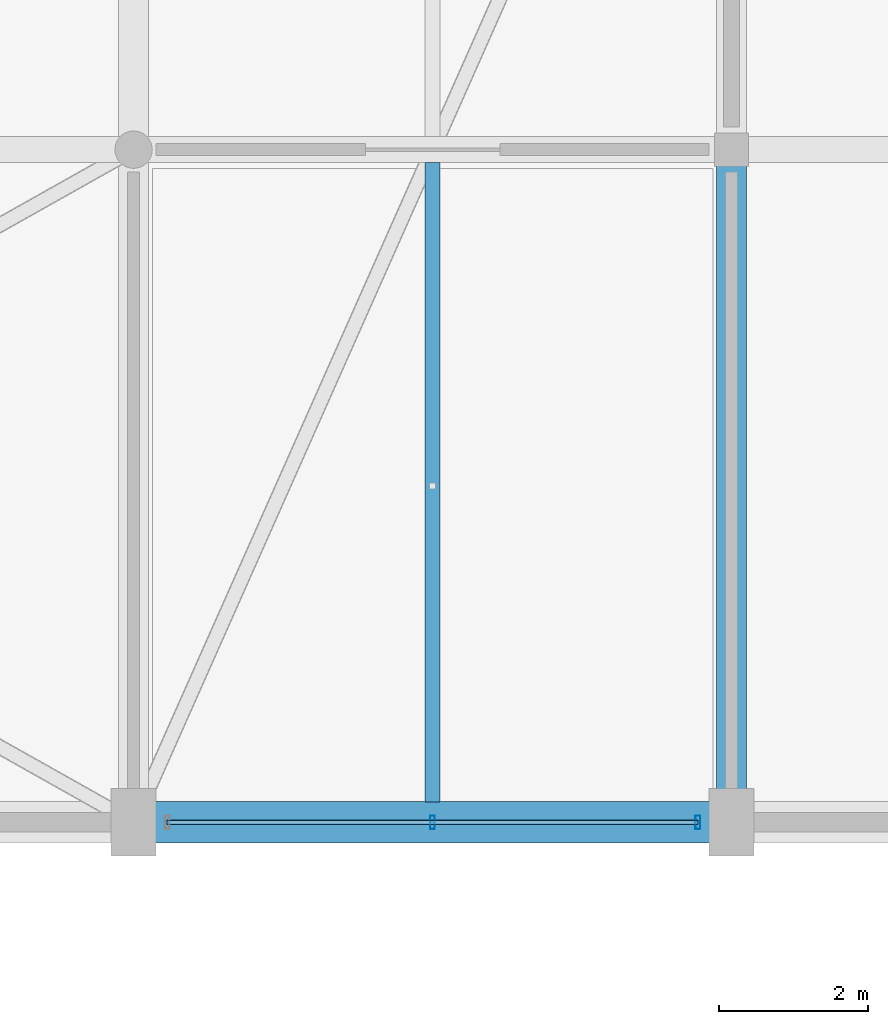
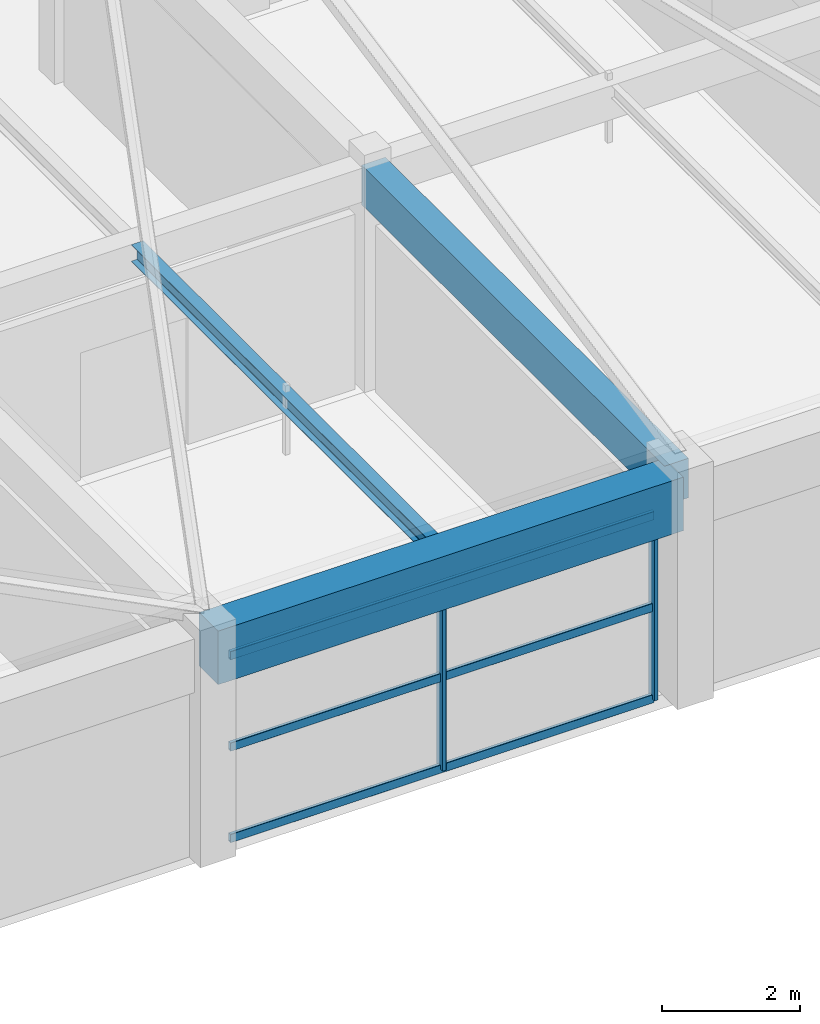
# One storey, part 30 of 63: 5 members, 3 beams, 1 element without a shape of its own.
"""IFC4 building model written with IfcOpenShell, lengths in metres."""

from ifc_helpers import new_model, si_unit, direction, frame, origin, origin_2d, place, context, subcontext, project, spatial, rectangle, hollow_rectangle, i_section, extrude, material, material_profile, profile_set, type_object, element, aggregate, save


model = new_model("IFC4")

# Units and contexts
model_context = context("Model", 3, precision=1e-05, world=origin(), true_north=direction((0.0, 1.0)))
body_context = subcontext(model_context, "Body", "Model", "MODEL_VIEW")
ifc_project = project(units=[si_unit("LENGTHUNIT", "METRE"), si_unit("AREAUNIT", "SQUARE_METRE"), si_unit("VOLUMEUNIT", "CUBIC_METRE"), si_unit("PLANEANGLEUNIT", "RADIAN"), si_unit("MASSUNIT", "GRAM", prefix="KILO")], contexts=[model_context])

# Site, building, storey
site_placement = place(None, origin())
site = spatial("IfcSite", under=ifc_project, at=site_placement, CompositionType="ELEMENT")
building_placement = place(site_placement, origin())
building = spatial("IfcBuilding", under=site, at=building_placement, Name="Varnabhumi Central Station", CompositionType="ELEMENT")
storey_placement = place(building_placement, frame((0.0, 0.0, 20.39990234375)))
storey = spatial("IfcBuildingStorey", under=building, at=storey_placement, Name="L04", CompositionType="ELEMENT", Elevation=20.39990234375)

# Beams
ifc_material_1 = material(Name="Concrete M40", Category="concrete")
ifc_material_profile_1 = material_profile(ifc_material_1, rectangle(XDim=0.550048828125, YDim=0.949951171875, at=origin_2d()), Name="Concrete M40", Category="concrete")
ifc_profile_set_1 = profile_set([ifc_material_profile_1], Name="Concrete M40")
beam_type_1 = type_object("IfcBeamType", Name="BM-RC-550x950", PredefinedType="BEAM", material=ifc_profile_set_1)
beam_1_placement = place(storey_placement, frame((80.10009765625, 80.0, 3.47509765625), z_axis=(1.0, 0.0, 0.0), x_axis=(0.0, 1.0, 0.0)))
element("IfcBeam", 1, at=beam_1_placement, inside=storey, type_object=beam_type_1, Name="Beam L04-K:11-12", PredefinedType="BEAM", context=body_context, shape_type="SweptSolid", body=[
    extrude(rectangle(XDim=0.550048828125, YDim=0.949951171875, at=origin_2d()), origin(), (0.0, 0.0, 1.0), 7.7998046875),
])
ifc_material_profile_2 = material_profile(ifc_material_1, rectangle(XDim=0.39990234375, YDim=0.699951171875, at=origin_2d()), Name="Concrete M40", Category="concrete")
ifc_profile_set_2 = profile_set([ifc_material_profile_2], Name="Concrete M40")
beam_type_2 = type_object("IfcBeamType", Name="BM-RC-700x400", PredefinedType="BEAM", material=ifc_profile_set_2)
beam_2_placement = place(storey_placement, frame((88.0, 80.10009765625, 3.60009765625), z_axis=(0.0, 1.0, 0.0), x_axis=(-1.0, 0.0, 0.0)))
element("IfcBeam", 2, at=beam_2_placement, inside=storey, type_object=beam_type_2, Name="Beam L04-12:K-L", PredefinedType="BEAM", context=body_context, shape_type="SweptSolid", body=[
    extrude(rectangle(XDim=0.39990234375, YDim=0.699951171875, at=origin_2d()), origin(), (0.0, 0.0, 1.0), 8.7998046875),
])
ifc_material_2 = material(Name="Structural steel E350", Category="steel")
ifc_material_profile_3 = material_profile(ifc_material_2, i_section(OverallWidth=0.199951171875, OverallDepth=0.300048828125, WebThickness=0.00732421875, FlangeThickness=0.010009765625, FilletRadius=0.010986328125, at=origin_2d()), Name="Structural steel E350", Category="steel")
ifc_profile_set_3 = profile_set([ifc_material_profile_3], Name="Structural steel E350")
beam_type_3 = type_object("IfcBeamType", Name="BM-STL-ISWB300", PredefinedType="JOIST", material=ifc_profile_set_3)
beam_3_placement = place(storey_placement, frame((84.0, 80.27490234375, 3.800048828125), z_axis=(0.0, 1.0, 0.0), x_axis=(-1.0, 0.0, 0.0)))
element("IfcBeam", 3, at=beam_3_placement, inside=storey, type_object=beam_type_3, Name="Secondary Joist L04-11/12:K-L", PredefinedType="JOIST", context=body_context, shape_type="SweptSolid", body=[
    extrude(i_section(OverallWidth=0.199951171875, OverallDepth=0.300048828125, WebThickness=0.00732421875, FlangeThickness=0.010009765625, FilletRadius=0.010986328125, at=origin_2d()), origin(), (0.0, 0.0, 1.0), 8.550048828125),
])

# Curtain wall, members
ifc_material_3 = material(Name="Anodised aluminium 6063-T6", Category="aluminium")
curtain_wall_type = type_object("IfcCurtainWallType", Name="CW-SPINE-SCREEN-L0", PredefinedType="NOTDEFINED", material=ifc_material_3)
curtain_wall_placement = place(storey_placement, origin())
curtain_wall = element("IfcCurtainWall", 4, at=curtain_wall_placement, inside=storey, type_object=curtain_wall_type, Name="Curtain Wall CW-NS402", PredefinedType="NOTDEFINED")
ifc_material_profile_4 = material_profile(ifc_material_3, hollow_rectangle(XDim=0.06494140625, YDim=0.179931640625, WallThickness=0.00390625, InnerFilletRadius=0.001953125, OuterFilletRadius=0.006103515625, at=origin_2d()), Name="Anodised aluminium 6063-T6", Category="aluminium")
ifc_profile_set_4 = profile_set([ifc_material_profile_4], Name="Anodised aluminium 6063-T6")
member_type_1 = type_object("IfcMemberType", Name="CW-MUL-180", PredefinedType="MULLION", material=ifc_profile_set_4)
member_1_placement = place(storey_placement, frame((84.0, 80.0, 0.0), z_axis=(0.0, 0.0, 1.0), x_axis=(1.0, 0.0, 0.0)))
member_1 = element("IfcMember", 5, at=member_1_placement, type_object=member_type_1, Name="Curtain Wall Mullion CW-NS402-M2", PredefinedType="MULLION", context=body_context, shape_type="SweptSolid", body=[
    extrude(hollow_rectangle(XDim=0.06494140625, YDim=0.179931640625, WallThickness=0.00390625, InnerFilletRadius=0.001953125, OuterFilletRadius=0.006103515625, at=origin_2d()), origin(), (0.0, 0.0, 1.0), 3.239990234375),
])
member_2_placement = place(storey_placement, frame((87.550048828125, 80.0, 0.0), z_axis=(0.0, 0.0, 1.0), x_axis=(1.0, 0.0, 0.0)))
member_2 = element("IfcMember", 6, at=member_2_placement, type_object=member_type_1, Name="Curtain Wall Mullion CW-NS402-M3", PredefinedType="MULLION", context=body_context, shape_type="SweptSolid", body=[
    extrude(hollow_rectangle(XDim=0.06494140625, YDim=0.179931640625, WallThickness=0.00390625, InnerFilletRadius=0.001953125, OuterFilletRadius=0.006103515625, at=origin_2d()), origin(), (0.0, 0.0, 1.0), 3.239990234375),
])
ifc_material_profile_5 = material_profile(ifc_material_3, hollow_rectangle(XDim=0.06005859375, YDim=0.14990234375, WallThickness=0.00390625, InnerFilletRadius=0.001953125, OuterFilletRadius=0.006103515625, at=origin_2d()), Name="Anodised aluminium 6063-T6", Category="aluminium")
ifc_profile_set_5 = profile_set([ifc_material_profile_5], Name="Anodised aluminium 6063-T6")
member_type_2 = type_object("IfcMemberType", Name="CW-TR-150", PredefinedType="USERDEFINED", material=ifc_profile_set_5)
member_3_placement = place(storey_placement, frame((80.449951171875, 80.0, 0.0), z_axis=(1.0, 0.0, 0.0), x_axis=(0.0, 1.0, 0.0)))
member_3 = element("IfcMember", 7, at=member_3_placement, type_object=member_type_2, Name="Curtain Wall Transom CW-NS402-T1", ObjectType="TRANSOM", PredefinedType="USERDEFINED", context=body_context, shape_type="SweptSolid", body=[
    extrude(hollow_rectangle(XDim=0.06005859375, YDim=0.14990234375, WallThickness=0.00390625, InnerFilletRadius=0.001953125, OuterFilletRadius=0.006103515625, at=origin_2d()), origin(), (0.0, 0.0, 1.0), 7.10009765625),
])
member_4_placement = place(storey_placement, frame((80.449951171875, 80.0, 1.6201171875), z_axis=(1.0, 0.0, 0.0), x_axis=(0.0, 1.0, 0.0)))
member_4 = element("IfcMember", 8, at=member_4_placement, type_object=member_type_2, Name="Curtain Wall Transom CW-NS402-T2", ObjectType="TRANSOM", PredefinedType="USERDEFINED", context=body_context, shape_type="SweptSolid", body=[
    extrude(hollow_rectangle(XDim=0.06005859375, YDim=0.14990234375, WallThickness=0.00390625, InnerFilletRadius=0.001953125, OuterFilletRadius=0.006103515625, at=origin_2d()), origin(), (0.0, 0.0, 1.0), 7.10009765625),
])
member_5_placement = place(storey_placement, frame((80.449951171875, 80.0, 3.239990234375), z_axis=(1.0, 0.0, 0.0), x_axis=(0.0, 1.0, 0.0)))
member_5 = element("IfcMember", 9, at=member_5_placement, type_object=member_type_2, Name="Curtain Wall Transom CW-NS402-T3", ObjectType="TRANSOM", PredefinedType="USERDEFINED", context=body_context, shape_type="SweptSolid", body=[
    extrude(hollow_rectangle(XDim=0.06005859375, YDim=0.14990234375, WallThickness=0.00390625, InnerFilletRadius=0.001953125, OuterFilletRadius=0.006103515625, at=origin_2d()), origin(), (0.0, 0.0, 1.0), 7.10009765625),
])
aggregate(curtain_wall, [member_1, member_2, member_3, member_4, member_5])

save(model, "model.ifc")
